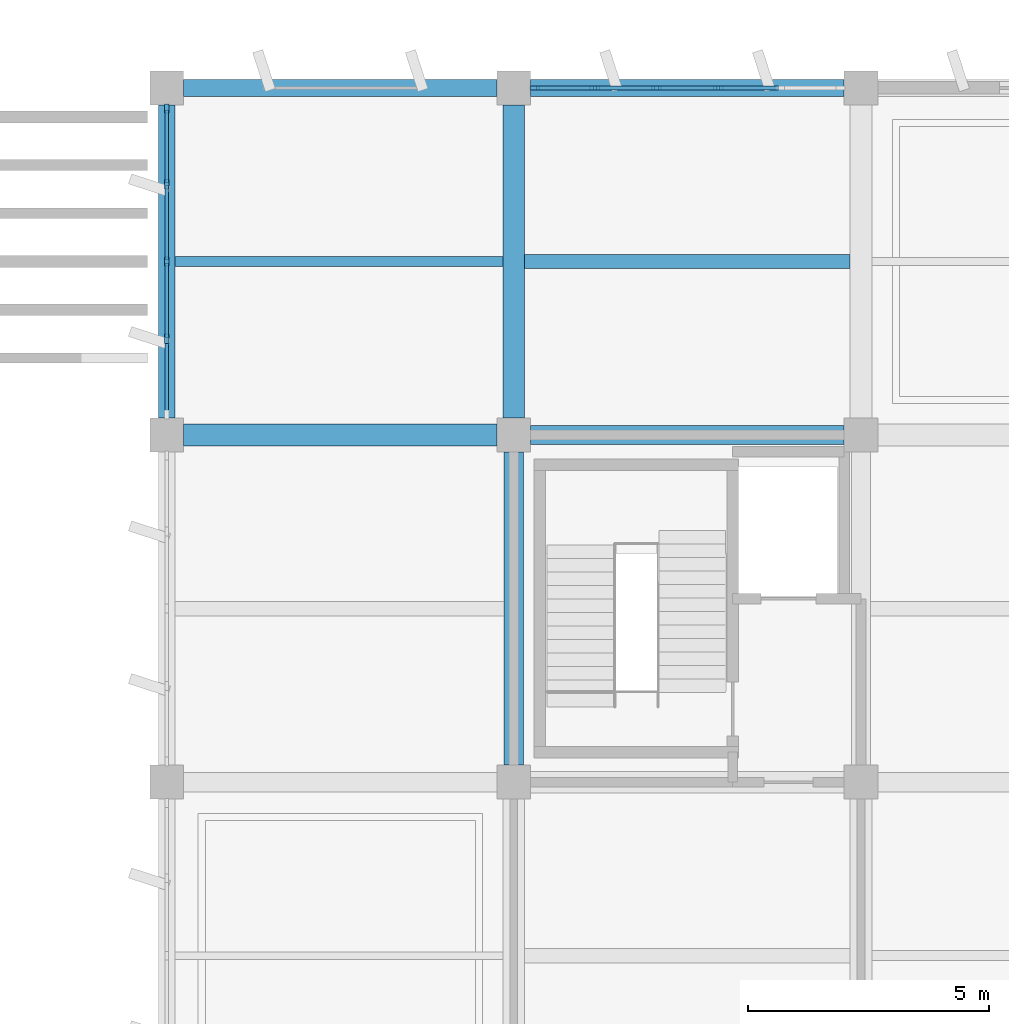
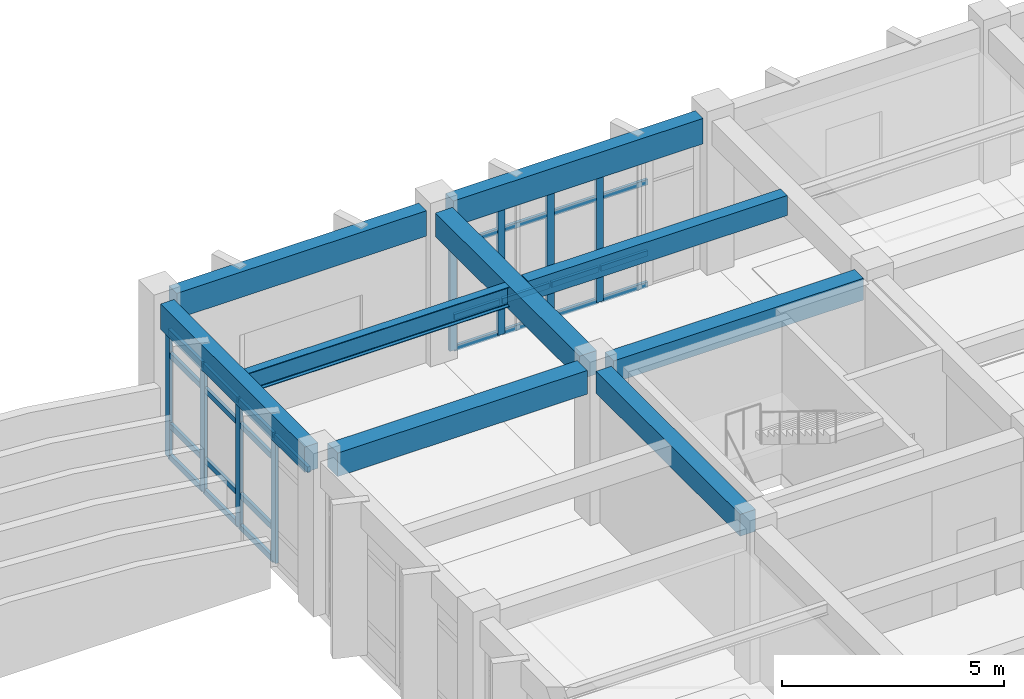
# One storey, part 27 of 81: 38 members, 8 beams, 2 elements without a shape of their own.
"""IFC4 building model written with IfcOpenShell, lengths in metres."""

from ifc_helpers import new_model, si_unit, direction, frame, origin, origin_2d, place, context, subcontext, project, spatial, rectangle, i_section, extrude, material, layer, layer_set, material_profile, profile_set, type_object, element, aggregate, save


model = new_model("IFC4")

# Units and contexts
model_context = context("Model", 3, precision=1e-05, world=origin(), true_north=direction((0.0, 1.0)))
body_context = subcontext(model_context, "Body", "Model", "MODEL_VIEW")
ifc_project = project(units=[si_unit("LENGTHUNIT", "METRE"), si_unit("AREAUNIT", "SQUARE_METRE"), si_unit("VOLUMEUNIT", "CUBIC_METRE"), si_unit("PLANEANGLEUNIT", "RADIAN"), si_unit("MASSUNIT", "GRAM", prefix="KILO")], contexts=[model_context])

# Site, building, storey
site_placement = place(None, origin())
site = spatial("IfcSite", under=ifc_project, at=site_placement, CompositionType="ELEMENT")
building_placement = place(site_placement, origin())
building = spatial("IfcBuilding", under=site, at=building_placement, Name="Kavelor Marine Aquarium", CompositionType="ELEMENT")
storey_placement = place(building_placement, frame((0.0, 0.0, 4.679931640625)))
storey = spatial("IfcBuildingStorey", under=building, at=storey_placement, Name="L01", CompositionType="ELEMENT", Elevation=4.679931640625)

# Beams
ifc_material_1 = material(Name="Concrete C40/50", Category="concrete")
ifc_material_profile_1 = material_profile(ifc_material_1, rectangle(XDim=0.449951171875, YDim=0.64990234375, at=origin_2d()), Name="RC-BM 450x650")
ifc_profile_set_1 = profile_set([ifc_material_profile_1], Name="Concrete C40/50")
beam_type_1 = type_object("IfcBeamType", Name="BM-B3", PredefinedType="BEAM", material=ifc_profile_set_1)
for number, where, z_axis, x_axis, name in (
    (1, (118.75, 103.60009765625, 3.875), (1.0, 0.0, 0.0), (0.0, 1.0, 0.0), "bm:x:L01:L02:16_14"),
    (2, (125.60009765625, 103.949951171875, 3.875), (0.0, 1.0, 0.0), (-1.0, 0.0, 0.0), "bm:y:L01:L02:17_14"),
):
    element("IfcBeam", number, at=place(storey_placement, frame(where, z_axis=z_axis, x_axis=x_axis)), inside=storey, type_object=beam_type_1, Name=name, PredefinedType="BEAM", context=body_context, shape_type="SweptSolid", body=[
        extrude(rectangle(XDim=0.449951171875, YDim=0.64990234375, at=origin_2d()), origin(), (0.0, 0.0, 1.0), 6.5),
    ])
ifc_material_2 = material(Name="Concrete C40/50", Category="concrete")
ifc_material_profile_2 = material_profile(ifc_material_2, rectangle(XDim=0.39990234375, YDim=0.60009765625, at=origin_2d()), Name="RC-BM 400x600")
ifc_profile_set_2 = profile_set([ifc_material_profile_2], Name="Concrete C40/50")
beam_type_2 = type_object("IfcBeamType", Name="BM-B4", PredefinedType="BEAM", material=ifc_profile_set_2)
for number, where, z_axis, x_axis, name in (
    (3, (125.949951171875, 103.60009765625, 3.900146484375), (1.0, 0.0, 0.0), (0.0, 1.0, 0.0), "bm:x:L01:L02:17_14"),
    (4, (125.60009765625, 96.75, 3.900146484375), (0.0, 1.0, 0.0), (-1.0, 0.0, 0.0), "bm:y:L01:L02:17_13"),
):
    element("IfcBeam", number, at=place(storey_placement, frame(where, z_axis=z_axis, x_axis=x_axis)), inside=storey, type_object=beam_type_2, Name=name, PredefinedType="BEAM", context=body_context, shape_type="SweptSolid", body=[
        extrude(rectangle(XDim=0.39990234375, YDim=0.60009765625, at=origin_2d()), origin(), (0.0, 0.0, 1.0), 6.5),
    ])
ifc_material_3 = material(Name="Concrete C40/50", Category="concrete")
ifc_material_profile_3 = material_profile(ifc_material_3, rectangle(XDim=0.300048828125, YDim=0.550048828125, at=origin_2d()), Name="RC-JS 300x550")
ifc_profile_set_3 = profile_set([ifc_material_profile_3], Name="Concrete C40/50")
beam_type_3 = type_object("IfcBeamType", Name="BM-JS2", PredefinedType="JOIST", material=ifc_profile_set_3)
beam_placement = place(storey_placement, frame((125.824951171875, 107.199951171875, 3.945068359375), z_axis=(1.0, 0.0, 0.0), x_axis=(0.0, 1.0, 0.0)))
element("IfcBeam", 5, at=beam_placement, inside=storey, type_object=beam_type_3, Name="js:L01:L02:17_14", PredefinedType="JOIST", context=body_context, shape_type="SweptSolid", body=[
    extrude(rectangle(XDim=0.300048828125, YDim=0.550048828125, at=origin_2d()), origin(), (0.0, 0.0, 1.0), 6.75),
])
ifc_material_4 = material(Name="Concrete C40/50", Category="concrete")
ifc_material_profile_4 = material_profile(ifc_material_4, rectangle(XDim=0.35009765625, YDim=0.699951171875, at=origin_2d()), Name="RC-SP 350x700")
ifc_profile_set_4 = profile_set([ifc_material_profile_4], Name="Concrete C40/50")
beam_type_4 = type_object("IfcBeamType", Name="BM-SP1", PredefinedType="SPANDREL", material=ifc_profile_set_4)
for number, where, z_axis, x_axis, name in (
    (6, (118.75, 110.800048828125, 3.85009765625), (1.0, 0.0, 0.0), (0.0, 1.0, 0.0), "bm:x:L01:L02:16_15"),
    (7, (125.949951171875, 110.800048828125, 3.8701171875), (1.0, 0.0, 0.0), (0.0, 1.0, 0.0), "bm:x:L01:L02:17_15"),
    (8, (118.39990234375, 103.949951171875, 3.85009765625), (0.0, 1.0, 0.0), (-1.0, 0.0, 0.0), "bm:y:L01:L02:16_14"),
):
    element("IfcBeam", number, at=place(storey_placement, frame(where, z_axis=z_axis, x_axis=x_axis)), inside=storey, type_object=beam_type_4, Name=name, PredefinedType="SPANDREL", context=body_context, shape_type="SweptSolid", body=[
        extrude(rectangle(XDim=0.35009765625, YDim=0.699951171875, at=origin_2d()), origin(), (0.0, 0.0, 1.0), 6.5),
    ])

# Curtain wall, members
ifc_material_5 = material(Name="Thermally Broken Aluminium and Low-E Glass", Category="aluminium")
ifc_layer_1 = layer(ifc_material_5, 0.18798828125)
ifc_layer_set_1 = layer_set([ifc_layer_1], Name="CW-SYS6")
curtain_wall_type_1 = type_object("IfcCurtainWallType", Name="CW-SYS6", PredefinedType="USERDEFINED", material=ifc_layer_set_1)
curtain_wall_1_placement = place(storey_placement, origin())
curtain_wall_1 = element("IfcCurtainWall", 9, at=curtain_wall_1_placement, inside=storey, type_object=curtain_wall_type_1, Name="cw:x:L01:17_15", ObjectType="Curtain Wall", PredefinedType="USERDEFINED")
ifc_material_6 = material(Name="Anodised Aluminium Alloy 6063-T6", Category="aluminium")
ifc_material_profile_5 = material_profile(ifc_material_6, rectangle(XDim=0.0849609375, YDim=0.18994140625, at=origin_2d()), Name="CW-MUL 85x190")
ifc_profile_set_5 = profile_set([ifc_material_profile_5], Name="Anodised Aluminium Alloy 6063-T6")
member_type_1 = type_object("IfcMemberType", Name="CWM-3", PredefinedType="MULLION", material=ifc_profile_set_5)
member_1_placement = place(storey_placement, frame((126.02490234375, 110.800048828125, 0.0), z_axis=(0.0, 0.0, 1.0), x_axis=(0.0, 1.0, 0.0)))
member_1 = element("IfcMember", 10, at=member_1_placement, type_object=member_type_1, Name="CW06 mullion 1", PredefinedType="MULLION", context=body_context, shape_type="SweptSolid", body=[
    extrude(rectangle(XDim=0.0849609375, YDim=0.18994140625, at=origin_2d()), origin(), (0.0, 0.0, 1.0), 3.510009765625),
])
member_2_placement = place(storey_placement, frame((127.277099609375, 110.800048828125, 0.0), z_axis=(0.0, 0.0, 1.0), x_axis=(0.0, 1.0, 0.0)))
member_2 = element("IfcMember", 11, at=member_2_placement, type_object=member_type_1, Name="CW06 mullion 2", PredefinedType="MULLION", context=body_context, shape_type="SweptSolid", body=[
    extrude(rectangle(XDim=0.0849609375, YDim=0.18994140625, at=origin_2d()), origin(), (0.0, 0.0, 1.0), 3.510009765625),
])
member_3_placement = place(storey_placement, frame((128.55908203125, 110.800048828125, 0.0), z_axis=(0.0, 0.0, 1.0), x_axis=(0.0, 1.0, 0.0)))
member_3 = element("IfcMember", 12, at=member_3_placement, type_object=member_type_1, Name="CW06 mullion 3", PredefinedType="MULLION", context=body_context, shape_type="SweptSolid", body=[
    extrude(rectangle(XDim=0.0849609375, YDim=0.18994140625, at=origin_2d()), origin(), (0.0, 0.0, 1.0), 3.510009765625),
])
member_4_placement = place(storey_placement, frame((129.841064453125, 110.800048828125, 0.0), z_axis=(0.0, 0.0, 1.0), x_axis=(0.0, 1.0, 0.0)))
member_4 = element("IfcMember", 13, at=member_4_placement, type_object=member_type_1, Name="CW06 mullion 4", PredefinedType="MULLION", context=body_context, shape_type="SweptSolid", body=[
    extrude(rectangle(XDim=0.0849609375, YDim=0.18994140625, at=origin_2d()), origin(), (0.0, 0.0, 1.0), 3.510009765625),
])

ifc_material_7 = material(Name="Thermally Broken Aluminium and Low-E Glass", Category="aluminium")
ifc_layer_2 = layer(ifc_material_7, 0.260009765625)
ifc_layer_set_2 = layer_set([ifc_layer_2], Name="CW-SYS15")
curtain_wall_type_2 = type_object("IfcCurtainWallType", Name="CW-SYS15", PredefinedType="USERDEFINED", material=ifc_layer_set_2)
curtain_wall_2_placement = place(storey_placement, origin())
curtain_wall_2 = element("IfcCurtainWall", 14, at=curtain_wall_2_placement, inside=storey, type_object=curtain_wall_type_2, Name="cw:y:L01:16_14", ObjectType="Curtain Wall", PredefinedType="USERDEFINED")
member_5_placement = place(storey_placement, frame((118.39990234375, 110.375, 0.0), z_axis=(0.0, 0.0, 1.0), x_axis=(1.0, 0.0, 0.0)))
member_5 = element("IfcMember", 15, at=member_5_placement, type_object=member_type_1, Name="CW15 mullion 1", PredefinedType="MULLION", context=body_context, shape_type="SweptSolid", body=[
    extrude(rectangle(XDim=0.0849609375, YDim=0.18994140625, at=origin_2d()), origin(), (0.0, 0.0, 1.0), 3.489990234375),
])
member_6_placement = place(storey_placement, frame((118.39990234375, 108.802490234375, 0.0), z_axis=(0.0, 0.0, 1.0), x_axis=(1.0, 0.0, 0.0)))
member_6 = element("IfcMember", 16, at=member_6_placement, type_object=member_type_1, Name="CW15 mullion 2", PredefinedType="MULLION", context=body_context, shape_type="SweptSolid", body=[
    extrude(rectangle(XDim=0.0849609375, YDim=0.18994140625, at=origin_2d()), origin(), (0.0, 0.0, 1.0), 3.489990234375),
])
member_7_placement = place(storey_placement, frame((118.39990234375, 107.199951171875, 0.0), z_axis=(0.0, 0.0, 1.0), x_axis=(1.0, 0.0, 0.0)))
member_7 = element("IfcMember", 17, at=member_7_placement, type_object=member_type_1, Name="CW15 mullion 3", PredefinedType="MULLION", context=body_context, shape_type="SweptSolid", body=[
    extrude(rectangle(XDim=0.0849609375, YDim=0.18994140625, at=origin_2d()), origin(), (0.0, 0.0, 1.0), 3.489990234375),
])
member_8_placement = place(storey_placement, frame((118.39990234375, 105.597412109375, 0.0), z_axis=(0.0, 0.0, 1.0), x_axis=(1.0, 0.0, 0.0)))
member_8 = element("IfcMember", 18, at=member_8_placement, type_object=member_type_1, Name="CW15 mullion 4", PredefinedType="MULLION", context=body_context, shape_type="SweptSolid", body=[
    extrude(rectangle(XDim=0.0849609375, YDim=0.18994140625, at=origin_2d()), origin(), (0.0, 0.0, 1.0), 3.489990234375),
])

# Member
ifc_material_8 = material(Name="Anodised Aluminium Alloy 6063-T6", Category="aluminium")
ifc_material_profile_6 = material_profile(ifc_material_8, rectangle(XDim=0.074951171875, YDim=0.14990234375, at=origin_2d()), Name="CW-TRN 75x150")
ifc_profile_set_6 = profile_set([ifc_material_profile_6], Name="Anodised Aluminium Alloy 6063-T6")
member_type_2 = type_object("IfcMemberType", Name="CWT-1", PredefinedType="USERDEFINED", material=ifc_profile_set_6)
member_9_placement = place(storey_placement, frame((126.054931640625, 110.800048828125, 0.03759765625), z_axis=(1.0, 0.0, 0.0), x_axis=(0.0, 1.0, 0.0)))
member_9 = element("IfcMember", 19, at=member_9_placement, type_object=member_type_2, Name="CW06 transom 1.1", ObjectType="TRANSOM", PredefinedType="USERDEFINED", context=body_context, shape_type="SweptSolid", body=[
    extrude(rectangle(XDim=0.074951171875, YDim=0.14990234375, at=origin_2d()), origin(), (0.0, 0.0, 1.0), 1.192138671875),
])

member_10_placement = place(storey_placement, frame((126.054931640625, 110.800048828125, 0.900146484375), z_axis=(1.0, 0.0, 0.0), x_axis=(0.0, 1.0, 0.0)))
member_10 = element("IfcMember", 20, at=member_10_placement, type_object=member_type_2, Name="CW06 transom 1.2", ObjectType="TRANSOM", PredefinedType="USERDEFINED", context=body_context, shape_type="SweptSolid", body=[
    extrude(rectangle(XDim=0.074951171875, YDim=0.14990234375, at=origin_2d()), origin(), (0.0, 0.0, 1.0), 1.192138671875),
])

member_11_placement = place(storey_placement, frame((126.054931640625, 110.800048828125, 2.860107421875), z_axis=(1.0, 0.0, 0.0), x_axis=(0.0, 1.0, 0.0)))
member_11 = element("IfcMember", 21, at=member_11_placement, type_object=member_type_2, Name="CW06 transom 1.3", ObjectType="TRANSOM", PredefinedType="USERDEFINED", context=body_context, shape_type="SweptSolid", body=[
    extrude(rectangle(XDim=0.074951171875, YDim=0.14990234375, at=origin_2d()), origin(), (0.0, 0.0, 1.0), 1.192138671875),
])

member_12_placement = place(storey_placement, frame((126.054931640625, 110.800048828125, 3.47265625), z_axis=(1.0, 0.0, 0.0), x_axis=(0.0, 1.0, 0.0)))
member_12 = element("IfcMember", 22, at=member_12_placement, type_object=member_type_2, Name="CW06 transom 1.4", ObjectType="TRANSOM", PredefinedType="USERDEFINED", context=body_context, shape_type="SweptSolid", body=[
    extrude(rectangle(XDim=0.074951171875, YDim=0.14990234375, at=origin_2d()), origin(), (0.0, 0.0, 1.0), 1.192138671875),
])

member_13_placement = place(storey_placement, frame((127.306884765625, 110.800048828125, 0.03759765625), z_axis=(1.0, 0.0, 0.0), x_axis=(0.0, 1.0, 0.0)))
member_13 = element("IfcMember", 23, at=member_13_placement, type_object=member_type_2, Name="CW06 transom 2.1", ObjectType="TRANSOM", PredefinedType="USERDEFINED", context=body_context, shape_type="SweptSolid", body=[
    extrude(rectangle(XDim=0.074951171875, YDim=0.14990234375, at=origin_2d()), origin(), (0.0, 0.0, 1.0), 1.22216796875),
])

member_14_placement = place(storey_placement, frame((127.306884765625, 110.800048828125, 0.900146484375), z_axis=(1.0, 0.0, 0.0), x_axis=(0.0, 1.0, 0.0)))
member_14 = element("IfcMember", 24, at=member_14_placement, type_object=member_type_2, Name="CW06 transom 2.2", ObjectType="TRANSOM", PredefinedType="USERDEFINED", context=body_context, shape_type="SweptSolid", body=[
    extrude(rectangle(XDim=0.074951171875, YDim=0.14990234375, at=origin_2d()), origin(), (0.0, 0.0, 1.0), 1.22216796875),
])

member_15_placement = place(storey_placement, frame((127.306884765625, 110.800048828125, 2.860107421875), z_axis=(1.0, 0.0, 0.0), x_axis=(0.0, 1.0, 0.0)))
member_15 = element("IfcMember", 25, at=member_15_placement, type_object=member_type_2, Name="CW06 transom 2.3", ObjectType="TRANSOM", PredefinedType="USERDEFINED", context=body_context, shape_type="SweptSolid", body=[
    extrude(rectangle(XDim=0.074951171875, YDim=0.14990234375, at=origin_2d()), origin(), (0.0, 0.0, 1.0), 1.22216796875),
])

member_16_placement = place(storey_placement, frame((127.306884765625, 110.800048828125, 3.47265625), z_axis=(1.0, 0.0, 0.0), x_axis=(0.0, 1.0, 0.0)))
member_16 = element("IfcMember", 26, at=member_16_placement, type_object=member_type_2, Name="CW06 transom 2.4", ObjectType="TRANSOM", PredefinedType="USERDEFINED", context=body_context, shape_type="SweptSolid", body=[
    extrude(rectangle(XDim=0.074951171875, YDim=0.14990234375, at=origin_2d()), origin(), (0.0, 0.0, 1.0), 1.22216796875),
])

member_17_placement = place(storey_placement, frame((128.589111328125, 110.800048828125, 0.03759765625), z_axis=(1.0, 0.0, 0.0), x_axis=(0.0, 1.0, 0.0)))
member_17 = element("IfcMember", 27, at=member_17_placement, type_object=member_type_2, Name="CW06 transom 3.1", ObjectType="TRANSOM", PredefinedType="USERDEFINED", context=body_context, shape_type="SweptSolid", body=[
    extrude(rectangle(XDim=0.074951171875, YDim=0.14990234375, at=origin_2d()), origin(), (0.0, 0.0, 1.0), 1.221923828125),
])

member_18_placement = place(storey_placement, frame((128.589111328125, 110.800048828125, 0.900146484375), z_axis=(1.0, 0.0, 0.0), x_axis=(0.0, 1.0, 0.0)))
member_18 = element("IfcMember", 28, at=member_18_placement, type_object=member_type_2, Name="CW06 transom 3.2", ObjectType="TRANSOM", PredefinedType="USERDEFINED", context=body_context, shape_type="SweptSolid", body=[
    extrude(rectangle(XDim=0.074951171875, YDim=0.14990234375, at=origin_2d()), origin(), (0.0, 0.0, 1.0), 1.221923828125),
])

member_19_placement = place(storey_placement, frame((128.589111328125, 110.800048828125, 2.860107421875), z_axis=(1.0, 0.0, 0.0), x_axis=(0.0, 1.0, 0.0)))
member_19 = element("IfcMember", 29, at=member_19_placement, type_object=member_type_2, Name="CW06 transom 3.3", ObjectType="TRANSOM", PredefinedType="USERDEFINED", context=body_context, shape_type="SweptSolid", body=[
    extrude(rectangle(XDim=0.074951171875, YDim=0.14990234375, at=origin_2d()), origin(), (0.0, 0.0, 1.0), 1.221923828125),
])

member_20_placement = place(storey_placement, frame((128.589111328125, 110.800048828125, 3.47265625), z_axis=(1.0, 0.0, 0.0), x_axis=(0.0, 1.0, 0.0)))
member_20 = element("IfcMember", 30, at=member_20_placement, type_object=member_type_2, Name="CW06 transom 3.4", ObjectType="TRANSOM", PredefinedType="USERDEFINED", context=body_context, shape_type="SweptSolid", body=[
    extrude(rectangle(XDim=0.074951171875, YDim=0.14990234375, at=origin_2d()), origin(), (0.0, 0.0, 1.0), 1.221923828125),
])

member_21_placement = place(storey_placement, frame((129.87109375, 110.800048828125, 0.03759765625), z_axis=(1.0, 0.0, 0.0), x_axis=(0.0, 1.0, 0.0)))
member_21 = element("IfcMember", 31, at=member_21_placement, type_object=member_type_2, Name="CW06 transom 4.1", ObjectType="TRANSOM", PredefinedType="USERDEFINED", context=body_context, shape_type="SweptSolid", body=[
    extrude(rectangle(XDim=0.074951171875, YDim=0.14990234375, at=origin_2d()), origin(), (0.0, 0.0, 1.0), 1.221923828125),
])

member_22_placement = place(storey_placement, frame((129.87109375, 110.800048828125, 0.900146484375), z_axis=(1.0, 0.0, 0.0), x_axis=(0.0, 1.0, 0.0)))
member_22 = element("IfcMember", 32, at=member_22_placement, type_object=member_type_2, Name="CW06 transom 4.2", ObjectType="TRANSOM", PredefinedType="USERDEFINED", context=body_context, shape_type="SweptSolid", body=[
    extrude(rectangle(XDim=0.074951171875, YDim=0.14990234375, at=origin_2d()), origin(), (0.0, 0.0, 1.0), 1.221923828125),
])

member_23_placement = place(storey_placement, frame((129.87109375, 110.800048828125, 2.860107421875), z_axis=(1.0, 0.0, 0.0), x_axis=(0.0, 1.0, 0.0)))
member_23 = element("IfcMember", 33, at=member_23_placement, type_object=member_type_2, Name="CW06 transom 4.3", ObjectType="TRANSOM", PredefinedType="USERDEFINED", context=body_context, shape_type="SweptSolid", body=[
    extrude(rectangle(XDim=0.074951171875, YDim=0.14990234375, at=origin_2d()), origin(), (0.0, 0.0, 1.0), 1.221923828125),
])

member_24_placement = place(storey_placement, frame((129.87109375, 110.800048828125, 3.47265625), z_axis=(1.0, 0.0, 0.0), x_axis=(0.0, 1.0, 0.0)))
member_24 = element("IfcMember", 34, at=member_24_placement, type_object=member_type_2, Name="CW06 transom 4.4", ObjectType="TRANSOM", PredefinedType="USERDEFINED", context=body_context, shape_type="SweptSolid", body=[
    extrude(rectangle(XDim=0.074951171875, YDim=0.14990234375, at=origin_2d()), origin(), (0.0, 0.0, 1.0), 1.221923828125),
])

aggregate(curtain_wall_1, [member_1, member_2, member_3, member_4, member_9, member_10, member_11, member_12, member_13, member_14, member_15, member_16, member_17, member_18, member_19, member_20, member_21, member_22, member_23, member_24])

ifc_material_9 = material(Name="Anodised Aluminium Alloy 6063-T6", Category="aluminium")
ifc_material_profile_7 = material_profile(ifc_material_9, rectangle(XDim=0.080078125, YDim=0.155029296875, at=origin_2d()), Name="CW-TRN 80x155")
ifc_profile_set_7 = profile_set([ifc_material_profile_7], Name="Anodised Aluminium Alloy 6063-T6")
member_type_3 = type_object("IfcMemberType", Name="CWT-2", PredefinedType="USERDEFINED", material=ifc_profile_set_7)
member_25_placement = place(storey_placement, frame((118.39990234375, 110.344970703125, 0.032470703125), z_axis=(0.0, -1.0, 0.0), x_axis=(1.0, 0.0, 0.0)))
member_25 = element("IfcMember", 35, at=member_25_placement, type_object=member_type_3, Name="CW15 transom 1.1", ObjectType="TRANSOM", PredefinedType="USERDEFINED", context=body_context, shape_type="SweptSolid", body=[
    extrude(rectangle(XDim=0.080078125, YDim=0.155029296875, at=origin_2d()), origin(), (0.0, 0.0, 1.0), 1.512451171875),
])

member_26_placement = place(storey_placement, frame((118.39990234375, 110.344970703125, 0.900146484375), z_axis=(0.0, -1.0, 0.0), x_axis=(1.0, 0.0, 0.0)))
member_26 = element("IfcMember", 36, at=member_26_placement, type_object=member_type_3, Name="CW15 transom 1.2", ObjectType="TRANSOM", PredefinedType="USERDEFINED", context=body_context, shape_type="SweptSolid", body=[
    extrude(rectangle(XDim=0.080078125, YDim=0.155029296875, at=origin_2d()), origin(), (0.0, 0.0, 1.0), 1.512451171875),
])

member_27_placement = place(storey_placement, frame((118.39990234375, 110.344970703125, 2.840087890625), z_axis=(0.0, -1.0, 0.0), x_axis=(1.0, 0.0, 0.0)))
member_27 = element("IfcMember", 37, at=member_27_placement, type_object=member_type_3, Name="CW15 transom 1.3", ObjectType="TRANSOM", PredefinedType="USERDEFINED", context=body_context, shape_type="SweptSolid", body=[
    extrude(rectangle(XDim=0.080078125, YDim=0.155029296875, at=origin_2d()), origin(), (0.0, 0.0, 1.0), 1.512451171875),
])

member_28_placement = place(storey_placement, frame((118.39990234375, 110.344970703125, 3.45751953125), z_axis=(0.0, -1.0, 0.0), x_axis=(1.0, 0.0, 0.0)))
member_28 = element("IfcMember", 38, at=member_28_placement, type_object=member_type_3, Name="CW15 transom 1.4", ObjectType="TRANSOM", PredefinedType="USERDEFINED", context=body_context, shape_type="SweptSolid", body=[
    extrude(rectangle(XDim=0.080078125, YDim=0.155029296875, at=origin_2d()), origin(), (0.0, 0.0, 1.0), 1.512451171875),
])

member_29_placement = place(storey_placement, frame((118.39990234375, 108.7724609375, 0.032470703125), z_axis=(0.0, -1.0, 0.0), x_axis=(1.0, 0.0, 0.0)))
member_29 = element("IfcMember", 39, at=member_29_placement, type_object=member_type_3, Name="CW15 transom 2.1", ObjectType="TRANSOM", PredefinedType="USERDEFINED", context=body_context, shape_type="SweptSolid", body=[
    extrude(rectangle(XDim=0.080078125, YDim=0.155029296875, at=origin_2d()), origin(), (0.0, 0.0, 1.0), 1.54248046875),
])

member_30_placement = place(storey_placement, frame((118.39990234375, 108.7724609375, 0.900146484375), z_axis=(0.0, -1.0, 0.0), x_axis=(1.0, 0.0, 0.0)))
member_30 = element("IfcMember", 40, at=member_30_placement, type_object=member_type_3, Name="CW15 transom 2.2", ObjectType="TRANSOM", PredefinedType="USERDEFINED", context=body_context, shape_type="SweptSolid", body=[
    extrude(rectangle(XDim=0.080078125, YDim=0.155029296875, at=origin_2d()), origin(), (0.0, 0.0, 1.0), 1.54248046875),
])

member_31_placement = place(storey_placement, frame((118.39990234375, 108.7724609375, 2.840087890625), z_axis=(0.0, -1.0, 0.0), x_axis=(1.0, 0.0, 0.0)))
member_31 = element("IfcMember", 41, at=member_31_placement, type_object=member_type_3, Name="CW15 transom 2.3", ObjectType="TRANSOM", PredefinedType="USERDEFINED", context=body_context, shape_type="SweptSolid", body=[
    extrude(rectangle(XDim=0.080078125, YDim=0.155029296875, at=origin_2d()), origin(), (0.0, 0.0, 1.0), 1.54248046875),
])

member_32_placement = place(storey_placement, frame((118.39990234375, 108.7724609375, 3.45751953125), z_axis=(0.0, -1.0, 0.0), x_axis=(1.0, 0.0, 0.0)))
member_32 = element("IfcMember", 42, at=member_32_placement, type_object=member_type_3, Name="CW15 transom 2.4", ObjectType="TRANSOM", PredefinedType="USERDEFINED", context=body_context, shape_type="SweptSolid", body=[
    extrude(rectangle(XDim=0.080078125, YDim=0.155029296875, at=origin_2d()), origin(), (0.0, 0.0, 1.0), 1.54248046875),
])

member_33_placement = place(storey_placement, frame((118.39990234375, 107.169921875, 0.032470703125), z_axis=(0.0, -1.0, 0.0), x_axis=(1.0, 0.0, 0.0)))
member_33 = element("IfcMember", 43, at=member_33_placement, type_object=member_type_3, Name="CW15 transom 3.1", ObjectType="TRANSOM", PredefinedType="USERDEFINED", context=body_context, shape_type="SweptSolid", body=[
    extrude(rectangle(XDim=0.080078125, YDim=0.155029296875, at=origin_2d()), origin(), (0.0, 0.0, 1.0), 1.54248046875),
])

member_34_placement = place(storey_placement, frame((118.39990234375, 107.169921875, 0.900146484375), z_axis=(0.0, -1.0, 0.0), x_axis=(1.0, 0.0, 0.0)))
member_34 = element("IfcMember", 44, at=member_34_placement, type_object=member_type_3, Name="CW15 transom 3.2", ObjectType="TRANSOM", PredefinedType="USERDEFINED", context=body_context, shape_type="SweptSolid", body=[
    extrude(rectangle(XDim=0.080078125, YDim=0.155029296875, at=origin_2d()), origin(), (0.0, 0.0, 1.0), 1.54248046875),
])

member_35_placement = place(storey_placement, frame((118.39990234375, 107.169921875, 2.840087890625), z_axis=(0.0, -1.0, 0.0), x_axis=(1.0, 0.0, 0.0)))
member_35 = element("IfcMember", 45, at=member_35_placement, type_object=member_type_3, Name="CW15 transom 3.3", ObjectType="TRANSOM", PredefinedType="USERDEFINED", context=body_context, shape_type="SweptSolid", body=[
    extrude(rectangle(XDim=0.080078125, YDim=0.155029296875, at=origin_2d()), origin(), (0.0, 0.0, 1.0), 1.54248046875),
])

member_36_placement = place(storey_placement, frame((118.39990234375, 107.169921875, 3.45751953125), z_axis=(0.0, -1.0, 0.0), x_axis=(1.0, 0.0, 0.0)))
member_36 = element("IfcMember", 46, at=member_36_placement, type_object=member_type_3, Name="CW15 transom 3.4", ObjectType="TRANSOM", PredefinedType="USERDEFINED", context=body_context, shape_type="SweptSolid", body=[
    extrude(rectangle(XDim=0.080078125, YDim=0.155029296875, at=origin_2d()), origin(), (0.0, 0.0, 1.0), 1.54248046875),
])

member_37_placement = place(storey_placement, frame((118.39990234375, 105.5673828125, 3.45751953125), z_axis=(0.0, -1.0, 0.0), x_axis=(1.0, 0.0, 0.0)))
member_37 = element("IfcMember", 47, at=member_37_placement, type_object=member_type_3, Name="CW15 transom 4.4", ObjectType="TRANSOM", PredefinedType="USERDEFINED", context=body_context, shape_type="SweptSolid", body=[
    extrude(rectangle(XDim=0.080078125, YDim=0.155029296875, at=origin_2d()), origin(), (0.0, 0.0, 1.0), 1.512451171875),
])

aggregate(curtain_wall_2, [member_5, member_6, member_7, member_8, member_25, member_26, member_27, member_28, member_29, member_30, member_31, member_32, member_33, member_34, member_35, member_36, member_37])

ifc_material_10 = material(Name="Steel S355", Category="steel")
ifc_material_profile_8 = material_profile(ifc_material_10, i_section(OverallWidth=0.2099609375, OverallDepth=0.550048828125, WebThickness=0.010986328125, FlangeThickness=0.01708984375, FilletRadius=0.02392578125, at=origin_2d()), Name="IPE 550")
ifc_profile_set_8 = profile_set([ifc_material_profile_8], Name="Steel S355")
member_type_4 = type_object("IfcMemberType", Name="PR-SJ1", PredefinedType="PURLIN", material=ifc_profile_set_8)
member_38_placement = place(storey_placement, frame((118.574951171875, 107.199951171875, 3.925048828125), z_axis=(1.0, 0.0, 0.0), x_axis=(0.0, 1.0, 0.0)))
element("IfcMember", 48, at=member_38_placement, inside=storey, type_object=member_type_4, Name="js:L01:L02:16_14", PredefinedType="PURLIN", context=body_context, shape_type="SweptSolid", body=[
    extrude(i_section(OverallWidth=0.2099609375, OverallDepth=0.550048828125, WebThickness=0.010986328125, FlangeThickness=0.01708984375, FilletRadius=0.02392578125, at=origin_2d()), origin(), (0.0, 0.0, 1.0), 6.800048828125),
])

save(model, "model.ifc")
